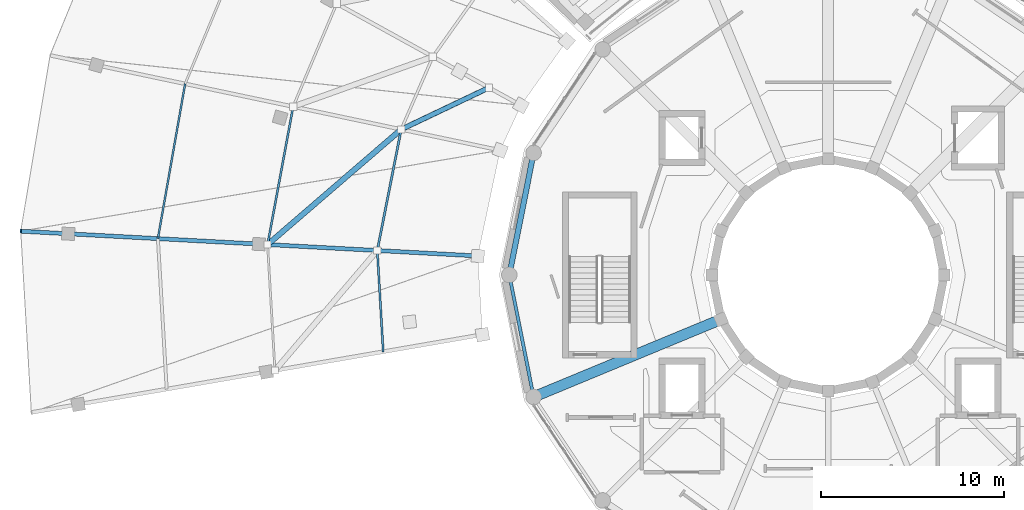
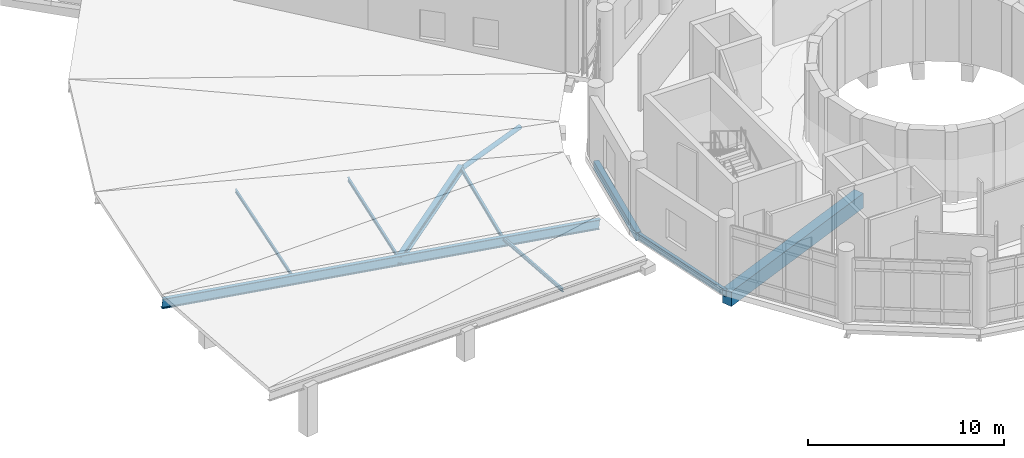
# One storey, part 8 of 49: 6 members, 4 beams.
"""IFC4 building model written with IfcOpenShell, lengths in metres."""

from ifc_helpers import new_model, si_unit, direction, frame, origin, origin_2d, place, context, subcontext, project, spatial, rectangle, hollow_circle, i_section, extrude, material, material_profile, profile_set, type_object, element, save


model = new_model("IFC4")

# Units and contexts
model_context = context("Model", 3, precision=1e-05, world=origin(), true_north=direction((0.0, 1.0)))
body_context = subcontext(model_context, "Body", "Model", "MODEL_VIEW")
ifc_project = project(units=[si_unit("LENGTHUNIT", "METRE"), si_unit("AREAUNIT", "SQUARE_METRE"), si_unit("VOLUMEUNIT", "CUBIC_METRE"), si_unit("PLANEANGLEUNIT", "RADIAN"), si_unit("MASSUNIT", "GRAM", prefix="KILO")], contexts=[model_context])

# Site, building, storey
site_placement = place(None, origin())
site = spatial("IfcSite", under=ifc_project, at=site_placement, CompositionType="ELEMENT")
building_placement = place(site_placement, origin())
building = spatial("IfcBuilding", under=site, at=building_placement, Name="Soyqirgoq Riverine Aquarium", CompositionType="ELEMENT")
storey_placement = place(building_placement, frame((0.0, 0.0, 15.0)))
storey = spatial("IfcBuildingStorey", under=building, at=storey_placement, Name="L04", CompositionType="ELEMENT", Elevation=15.0)

# Members
ifc_material_1 = material(Name="Structural steel S355", Category="steel")
ifc_material_profile_1 = material_profile(ifc_material_1, i_section(OverallWidth=0.300048828125, OverallDepth=0.449951171875, WebThickness=0.013916015625, FlangeThickness=0.02587890625, FilletRadius=0.027099609375, at=origin_2d()), Name="HEB 450")
ifc_profile_set_1 = profile_set([ifc_material_profile_1], Name="Structural steel S355")
member_type_1 = type_object("IfcMemberType", Name="BridgeChord_HEB450", PredefinedType="CHORD", material=ifc_profile_set_1)
member_1_placement = place(storey_placement, frame((32.63232421875, 64.9619140625, 0.890869140625), z_axis=(-0.755729271703, -0.651315819576, 0.068271304811), x_axis=(0.652839028467, -0.75749666858, 0.0)))
element("IfcMember", 1, at=member_1_placement, inside=storey, type_object=member_type_1, Name="V3 Lateral Wind Brace 0168", PredefinedType="CHORD", context=body_context, shape_type="SweptSolid", body=[
    extrude(i_section(OverallWidth=0.300048828125, OverallDepth=0.449951171875, WebThickness=0.013916015625, FlangeThickness=0.02587890625, FilletRadius=0.027099609375, at=origin_2d()), origin(), (0.0, 0.0, 1.0), 9.673095703125),
])
ifc_material_2 = material(Name="Structural steel S355", Category="steel")
ifc_material_profile_2 = material_profile(ifc_material_2, hollow_circle(Radius=0.136474609375, WallThickness=0.012451171875, at=origin_2d()), Name="CHS 273x12.5")
ifc_profile_set_2 = profile_set([ifc_material_profile_2], Name="Structural steel S355")
member_type_2 = type_object("IfcMemberType", Name="Diag_CHS273", PredefinedType="RAFTER", material=ifc_profile_set_2)
member_2_placement = place(storey_placement, frame((37.436767578125, 67.24755859375, 0.410888671875), z_axis=(-0.899948454478, -0.428137478064, 0.082408004216), x_axis=(0.429598682408, -0.903019917872, 0.0)))
element("IfcMember", 2, at=member_2_placement, inside=storey, type_object=member_type_2, Name="V3 Prairie Truss Sub-Rafter Diagonal 0206", PredefinedType="RAFTER", context=body_context, shape_type="SweptSolid", body=[
    extrude(hollow_circle(Radius=0.136474609375, WallThickness=0.012451171875, at=origin_2d()), origin(), (0.0, 0.0, 1.0), 5.338623046875),
])

# Beams
ifc_material_3 = material(Name="Concrete C40/50", Category="concrete")
ifc_material_profile_3 = material_profile(ifc_material_3, rectangle(XDim=0.580078125, YDim=0.919921875, at=origin_2d()), Name="RC 580x920")
ifc_profile_set_3 = profile_set([ifc_material_profile_3], Name="Concrete C40/50")
beam_type_1 = type_object("IfcBeamType", Name="Girder_RC_580x920", PredefinedType="BEAM", material=ifc_profile_set_3)
beam_1_placement = place(storey_placement, frame((50.124267578125, 54.566162109375, -0.81005859375), z_axis=(-0.923879335189, -0.382683908742, 0.0), x_axis=(0.382683908742, -0.923879335189, 0.0)))
element("IfcBeam", 3, at=beam_1_placement, inside=storey, type_object=beam_type_1, Name="V1 L04 Gallery Radial Beam 0104", PredefinedType="BEAM", context=body_context, shape_type="SweptSolid", body=[
    extrude(rectangle(XDim=0.580078125, YDim=0.919921875, at=origin_2d()), origin(), (0.0, 0.0, 1.0), 11.080322265625),
])
ifc_material_4 = material(Name="Structural steel S355", Category="steel")
ifc_material_profile_4 = material_profile(ifc_material_4, i_section(OverallWidth=0.219970703125, OverallDepth=0.60009765625, WebThickness=0.011962890625, FlangeThickness=0.01904296875, FilletRadius=0.02392578125, at=origin_2d()), Name="IPE 600")
ifc_profile_set_4 = profile_set([ifc_material_profile_4], Name="Structural steel S355")
beam_type_2 = type_object("IfcBeamType", Name="Outrigger_IPE600", PredefinedType="BEAM", material=ifc_profile_set_4)
beam_2_placement = place(storey_placement, frame((36.828125, 58.038330078125, 0.18310546875), z_axis=(-0.991571222161, 0.053703857418, 0.11790846908), x_axis=(-0.054081101906, -0.99853654636, 0.0)))
element("IfcBeam", 4, at=beam_2_placement, inside=storey, type_object=beam_type_2, Name="V3 Prairie Cantilever Eave Rafter 04", PredefinedType="BEAM", context=body_context, shape_type="SweptSolid", body=[
    extrude(i_section(OverallWidth=0.219970703125, OverallDepth=0.60009765625, WebThickness=0.011962890625, FlangeThickness=0.01904296875, FilletRadius=0.02392578125, at=origin_2d()), origin(), (0.0, 0.0, 1.0), 25.22607421875),
])

# Members
ifc_material_5 = material(Name="Structural steel S355", Category="steel")
ifc_material_profile_5 = material_profile(ifc_material_5, i_section(OverallWidth=0.10009765625, OverallDepth=0.199951171875, WebThickness=0.005615234375, FlangeThickness=0.008544921875, FilletRadius=0.011962890625, at=origin_2d()), Name="IPE 200")
ifc_profile_set_5 = profile_set([ifc_material_profile_5], Name="Structural steel S355")
member_type_3 = type_object("IfcMemberType", Name="Purlin_IPE200", PredefinedType="PURLIN", material=ifc_profile_set_5)
member_3_placement = place(storey_placement, frame((20.80908203125, 67.45751953125, 2.152099609375), z_axis=(-0.173238923289, -0.984581641502, 0.024233585666), x_axis=(0.984870874894, -0.173289814429, 0.0)))
element("IfcMember", 5, at=member_3_placement, inside=storey, type_object=member_type_3, Name="V3 Prairie Roof Purlin 0167", PredefinedType="PURLIN", context=body_context, shape_type="SweptSolid", body=[
    extrude(i_section(OverallWidth=0.10009765625, OverallDepth=0.199951171875, WebThickness=0.005615234375, FlangeThickness=0.008544921875, FilletRadius=0.011962890625, at=origin_2d()), origin(), (0.0, 0.0, 1.0), 8.603515625),
])
ifc_material_6 = material(Name="Structural steel S355", Category="steel")
ifc_material_profile_6 = material_profile(ifc_material_6, i_section(OverallWidth=0.110107421875, OverallDepth=0.219970703125, WebThickness=0.005859375, FlangeThickness=0.00927734375, FilletRadius=0.011962890625, at=origin_2d()), Name="IPE 220")
ifc_profile_set_6 = profile_set([ifc_material_profile_6], Name="Structural steel S355")
member_type_4 = type_object("IfcMemberType", Name="Purlin_IPE220", PredefinedType="PURLIN", material=ifc_profile_set_6)
member_4_placement = place(storey_placement, frame((26.720703125, 66.209716796875, 1.56787109375), z_axis=(-0.182162781066, -0.983055804191, 0.020445220497), x_axis=(0.983261330751, -0.182200865668, 0.0)))
element("IfcMember", 6, at=member_4_placement, inside=storey, type_object=member_type_4, Name="V3 Prairie Roof Purlin 0166", PredefinedType="PURLIN", context=body_context, shape_type="SweptSolid", body=[
    extrude(i_section(OverallWidth=0.110107421875, OverallDepth=0.219970703125, WebThickness=0.005859375, FlangeThickness=0.00927734375, FilletRadius=0.011962890625, at=origin_2d()), origin(), (0.0, 0.0, 1.0), 7.67822265625),
])
member_5_placement = place(storey_placement, frame((31.3251953125, 58.336181640625, 1.010498046875), z_axis=(0.058443608456, -0.998290711482, 0.0), x_axis=(0.998290711482, 0.058443608456, 0.0)))
element("IfcMember", 7, at=member_5_placement, inside=storey, type_object=member_type_4, Name="V3 Prairie Roof Purlin 0169", PredefinedType="PURLIN", context=body_context, shape_type="SweptSolid", body=[
    extrude(i_section(OverallWidth=0.110107421875, OverallDepth=0.219970703125, WebThickness=0.005859375, FlangeThickness=0.00927734375, FilletRadius=0.011962890625, at=origin_2d()), origin(), (0.0, 0.0, 1.0), 5.5517578125),
])
ifc_material_7 = material(Name="Structural steel S355", Category="steel")
ifc_material_profile_7 = material_profile(ifc_material_7, i_section(OverallWidth=0.1201171875, OverallDepth=0.239990234375, WebThickness=0.006103515625, FlangeThickness=0.009765625, FilletRadius=0.014892578125, at=origin_2d()), Name="IPE 240")
ifc_profile_set_7 = profile_set([ifc_material_profile_7], Name="Structural steel S355")
member_type_5 = type_object("IfcMemberType", Name="Purlin_IPE240", PredefinedType="PURLIN", material=ifc_profile_set_7)
member_6_placement = place(storey_placement, frame((32.63232421875, 64.9619140625, 0.958251953125), z_axis=(-0.193549271426, -0.981085856785, 0.003036634068), x_axis=(0.981090380185, -0.193550163805, 0.0)))
element("IfcMember", 8, at=member_6_placement, inside=storey, type_object=member_type_5, Name="V3 Prairie Roof Purlin 0165", PredefinedType="PURLIN", context=body_context, shape_type="SweptSolid", body=[
    extrude(i_section(OverallWidth=0.1201171875, OverallDepth=0.239990234375, WebThickness=0.006103515625, FlangeThickness=0.009765625, FilletRadius=0.014892578125, at=origin_2d()), origin(), (0.0, 0.0, 1.0), 6.75341796875),
])

# Beams
ifc_material_8 = material(Name="Concrete C40/50", Category="concrete")
ifc_material_profile_8 = material_profile(ifc_material_8, rectangle(XDim=0.300048828125, YDim=0.5, at=origin_2d()), Name="RC 300x500")
ifc_profile_set_8 = profile_set([ifc_material_profile_8], Name="Concrete C40/50")
beam_type_3 = type_object("IfcBeamType", Name="Spandrel_RC_300x500", PredefinedType="SPANDREL", material=ifc_profile_set_8)
beam_3_placement = place(storey_placement, frame((39.87451171875, 63.658203125, -0.60009765625), z_axis=(-0.195096390568, -0.980784073274, 0.0), x_axis=(0.980784073274, -0.195096390568, 0.0)))
element("IfcBeam", 9, at=beam_3_placement, inside=storey, type_object=beam_type_3, Name="V1 L04 Drum Spandrel Beam 0101", PredefinedType="SPANDREL", context=body_context, shape_type="SweptSolid", body=[
    extrude(rectangle(XDim=0.300048828125, YDim=0.5, at=origin_2d()), origin(), (0.0, 0.0, 1.0), 6.768798828125),
])
ifc_material_9 = material(Name="Structural steel S355", Category="steel")
ifc_material_profile_9 = material_profile(ifc_material_9, i_section(OverallWidth=0.179931640625, OverallDepth=0.39990234375, WebThickness=0.008544921875, FlangeThickness=0.013427734375, FilletRadius=0.02099609375, at=origin_2d()), Name="IPE 400")
ifc_profile_set_9 = profile_set([ifc_material_profile_9], Name="Structural steel S355")
beam_type_4 = type_object("IfcBeamType", Name="Spandrel_Steel_IPE400", PredefinedType="SPANDREL", material=ifc_profile_set_9)
beam_4_placement = place(storey_placement, frame((38.553955078125, 56.98046875, -0.550048828125), z_axis=(0.195096390568, -0.980784073274, 0.0), x_axis=(0.980784073274, 0.195096390568, 0.0)))
element("IfcBeam", 10, at=beam_4_placement, inside=storey, type_object=beam_type_4, Name="V1 L04 Drum Spandrel Beam 0102", PredefinedType="SPANDREL", context=body_context, shape_type="SweptSolid", body=[
    extrude(i_section(OverallWidth=0.179931640625, OverallDepth=0.39990234375, WebThickness=0.008544921875, FlangeThickness=0.013427734375, FilletRadius=0.02099609375, at=origin_2d()), origin(), (0.0, 0.0, 1.0), 6.768798828125),
])

save(model, "model.ifc")
